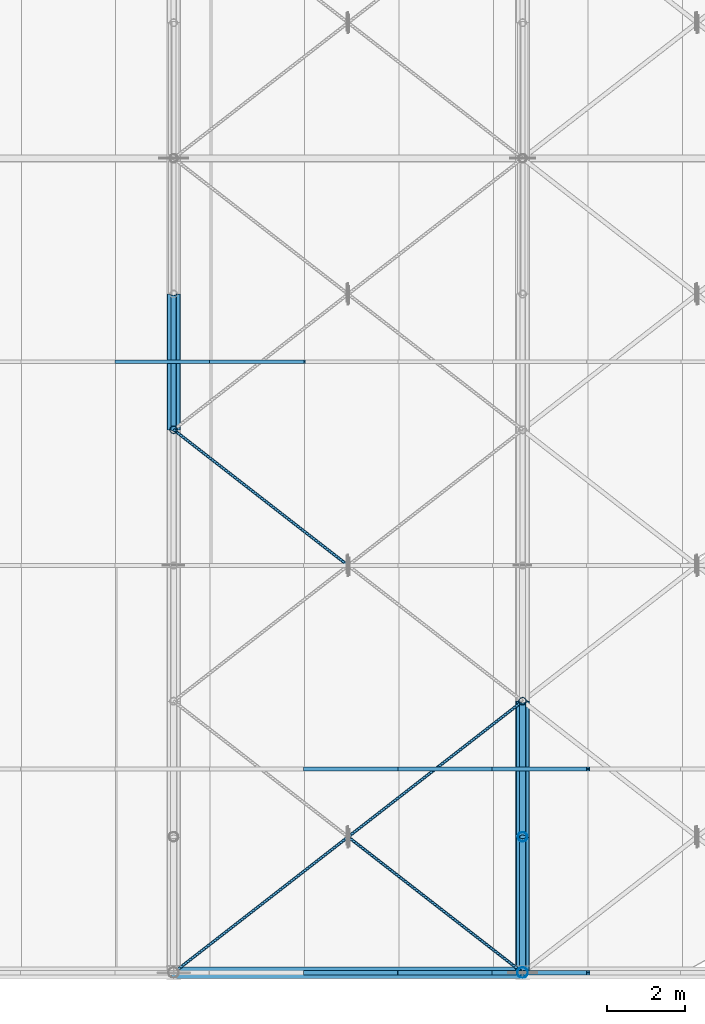
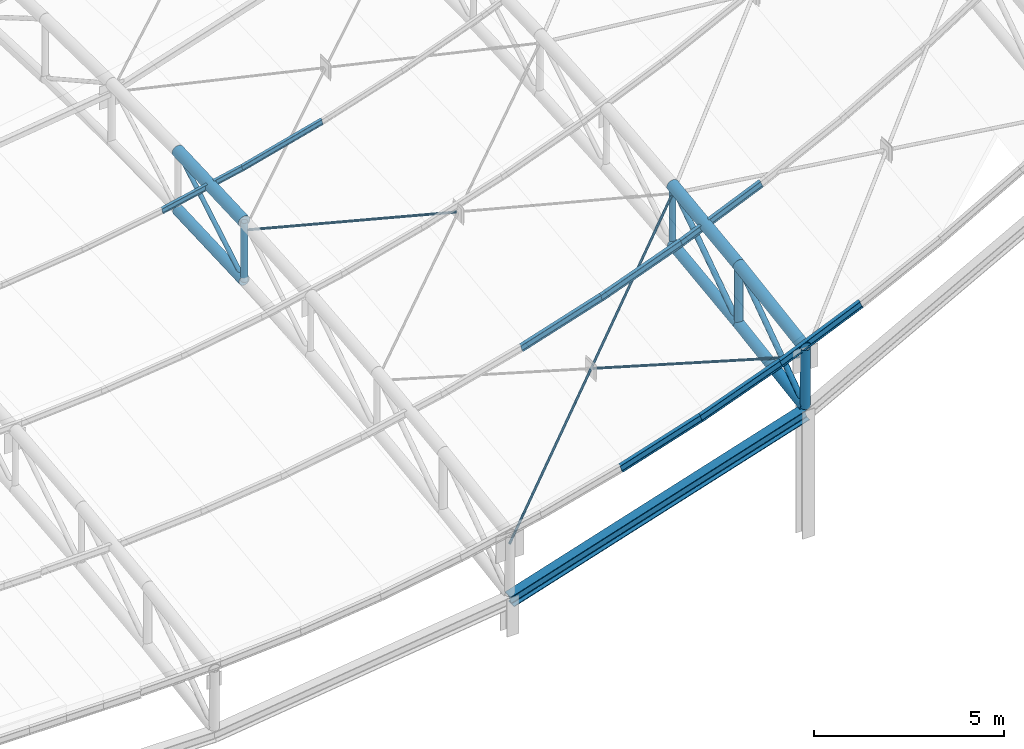
# One storey, part 29 of 262: 24 members, 1 beam.
"""IFC4 building model written with IfcOpenShell, lengths in metres."""

from ifc_helpers import new_model, si_unit, derived_unit, direction, frame, origin, origin_2d, place, context, subcontext, project, spatial, hollow_circle, i_section, extrude, material, material_profile, profile_set, type_object, element, save


model = new_model("IFC4")

# Units and contexts
model_context = context("Model", 3, precision=1e-05, world=origin(), true_north=direction((0.0, 1.0)))
body_context = subcontext(model_context, "Body", "Model", "MODEL_VIEW")
ifc_project = project(units=[si_unit("LENGTHUNIT", "METRE"), si_unit("AREAUNIT", "SQUARE_METRE"), si_unit("VOLUMEUNIT", "CUBIC_METRE"), si_unit("PLANEANGLEUNIT", "RADIAN"), si_unit("MASSUNIT", "GRAM", prefix="KILO"), derived_unit("THERMALTRANSMITTANCEUNIT", [(si_unit("POWERUNIT", "WATT"), 1), (si_unit("LENGTHUNIT", "METRE"), -2), (si_unit("THERMODYNAMICTEMPERATUREUNIT", "KELVIN"), -1)])], contexts=[model_context])

# Site, building, storey
site_placement = place(None, origin())
site = spatial("IfcSite", under=ifc_project, at=site_placement, CompositionType="ELEMENT")
building_placement = place(site_placement, origin())
building = spatial("IfcBuilding", under=site, at=building_placement, Name="Almenara Railside Exhibition Hall", CompositionType="ELEMENT")
storey_placement = place(building_placement, frame((0.0, 0.0, 21.699951171875)))
storey = spatial("IfcBuildingStorey", under=building, at=storey_placement, Name="RF", CompositionType="ELEMENT", Elevation=21.699951171875)

# Members
ifc_material = material(Name="Structural steel S355JR", Category="steel")
ifc_material_profile_1 = material_profile(ifc_material, i_section(OverallWidth=0.110107421875, OverallDepth=0.219970703125, WebThickness=0.005859375, FlangeThickness=0.00927734375, FilletRadius=0.011962890625, at=origin_2d()), Name="IPE 220")
ifc_profile_set_1 = profile_set([ifc_material_profile_1], Name="Structural steel S355JR")
member_type_1 = type_object("IfcMemberType", Name="Heavy Hall Roof Purlin IPE 220 S355JR", PredefinedType="PURLIN", material=ifc_profile_set_1)
member_1_placement = place(storey_placement, frame((51.3798828125, 5.25, -5.21728515625), z_axis=(0.952440767254, 0.0, 0.304723784553), x_axis=(0.0, 1.0, 0.0)))
element("IfcMember", 1, at=member_1_placement, inside=storey, type_object=member_type_1, Name="MEM-PR-V4-PR-IPE220-01-22", PredefinedType="PURLIN", context=body_context, shape_type="SweptSolid", body=[
    extrude(i_section(OverallWidth=0.110107421875, OverallDepth=0.219970703125, WebThickness=0.005859375, FlangeThickness=0.00927734375, FilletRadius=0.011962890625, at=origin_2d()), origin(), (0.0, 0.0, 1.0), 2.55810546875),
])
member_2_placement = place(storey_placement, frame((53.81640625, 5.25, -4.443359375), z_axis=(0.936171044044, 0.0, 0.351544842508), x_axis=(0.0, 1.0, 0.0)))
element("IfcMember", 2, at=member_2_placement, inside=storey, type_object=member_type_1, Name="MEM-PR-V4-PR-IPE220-01-23", PredefinedType="PURLIN", context=body_context, shape_type="SweptSolid", body=[
    extrude(i_section(OverallWidth=0.110107421875, OverallDepth=0.219970703125, WebThickness=0.005859375, FlangeThickness=0.00927734375, FilletRadius=0.011962890625, at=origin_2d()), origin(), (0.0, 0.0, 1.0), 2.60302734375),
])
member_3_placement = place(storey_placement, frame((56.253173828125, 5.25, -3.53515625), z_axis=(0.917189812532, 0.0, 0.398450558775), x_axis=(0.0, 1.0, 0.0)))
element("IfcMember", 3, at=member_3_placement, inside=storey, type_object=member_type_1, Name="MEM-PR-V4-PR-IPE220-01-24", PredefinedType="PURLIN", context=body_context, shape_type="SweptSolid", body=[
    extrude(i_section(OverallWidth=0.110107421875, OverallDepth=0.219970703125, WebThickness=0.005859375, FlangeThickness=0.00927734375, FilletRadius=0.011962890625, at=origin_2d()), origin(), (0.0, 0.0, 1.0), 2.65673828125),
])
ifc_material_profile_2 = material_profile(ifc_material, hollow_circle(Radius=0.0380859375, WallThickness=0.003662109375, at=origin_2d()), Name="CHS 76.1x3.6")
ifc_profile_set_2 = profile_set([ifc_material_profile_2], Name="Structural steel S355JR")
member_type_2 = type_object("IfcMemberType", Name="Lantern Cross-Tie Brace CHS 76.1x3.6 S355JR", PredefinedType="BRACE", material=ifc_profile_set_2)
member_4_placement = place(storey_placement, frame((48.0, 0.0, -7.150634765625), z_axis=(0.747437290309, 0.581340114685, 0.321529420294), x_axis=(-0.613940613515, 0.789352217376, 0.0)))
element("IfcMember", 4, at=member_4_placement, inside=storey, type_object=member_type_2, Name="MEM-WB-V4-WB-CHS76-05-00-C", PredefinedType="BRACE", context=body_context, shape_type="SweptSolid", body=[
    extrude(hollow_circle(Radius=0.0380859375, WallThickness=0.003662109375, at=origin_2d()), origin(), (0.0, 0.0, 1.0), 12.041259765625),
])
member_5_placement = place(storey_placement, frame((52.53271484375, 3.474609375, -5.2080078125), z_axis=(0.778924212359, -0.605839402683, 0.161974348455), x_axis=(0.613946586515, 0.789347571673, 0.0)))
element("IfcMember", 5, at=member_5_placement, inside=storey, type_object=member_type_2, Name="MEM-WB-V4-WB-CHS76-05-00-S2", PredefinedType="BRACE", context=body_context, shape_type="SweptSolid", body=[
    extrude(hollow_circle(Radius=0.0380859375, WallThickness=0.003662109375, at=origin_2d()), origin(), (0.0, 0.0, 1.0), 5.735107421875),
])
member_6_placement = place(storey_placement, frame((48.0, 14.0, -5.550537109375), z_axis=(0.77412945488, -0.602110088636, 0.195415015417), x_axis=(0.613946586515, 0.789347571673, 0.0)))
element("IfcMember", 6, at=member_6_placement, inside=storey, type_object=member_type_2, Name="MEM-WB-V4-WB-CHS76-05-02-S1", PredefinedType="BRACE", context=body_context, shape_type="SweptSolid", body=[
    extrude(hollow_circle(Radius=0.0380859375, WallThickness=0.003662109375, at=origin_2d()), origin(), (0.0, 0.0, 1.0), 5.770751953125),
])
ifc_material_profile_3 = material_profile(ifc_material, i_section(OverallWidth=0.091064453125, OverallDepth=0.179931640625, WebThickness=0.00537109375, FlangeThickness=0.008056640625, FilletRadius=0.009033203125, at=origin_2d()), Name="IPE 180")
ifc_profile_set_3 = profile_set([ifc_material_profile_3], Name="Structural steel S355JR")
member_type_3 = type_object("IfcMemberType", Name="Plenary Roof Purlin IPE 180 S355JR", PredefinedType="PURLIN", material=ifc_profile_set_3)
member_7_placement = place(storey_placement, frame((46.50634765625, 15.75, -5.45947265625), z_axis=(0.977496103583, 0.0, 0.210953472309), x_axis=(0.0, 1.0, 0.0)))
element("IfcMember", 7, at=member_7_placement, inside=storey, type_object=member_type_3, Name="MEM-PR-V4-PR-IPE180-03-20", PredefinedType="PURLIN", context=body_context, shape_type="SweptSolid", body=[
    extrude(i_section(OverallWidth=0.091064453125, OverallDepth=0.179931640625, WebThickness=0.00537109375, FlangeThickness=0.008056640625, FilletRadius=0.009033203125, at=origin_2d()), origin(), (0.0, 0.0, 1.0), 2.492919921875),
])
member_8_placement = place(storey_placement, frame((48.943115234375, 15.75, -4.93701171875), z_axis=(0.966201190487, 0.0, 0.257789176462), x_axis=(0.0, 1.0, 0.0)))
element("IfcMember", 8, at=member_8_placement, inside=storey, type_object=member_type_3, Name="MEM-PR-V4-PR-IPE180-03-21", PredefinedType="PURLIN", context=body_context, shape_type="SweptSolid", body=[
    extrude(i_section(OverallWidth=0.091064453125, OverallDepth=0.179931640625, WebThickness=0.00537109375, FlangeThickness=0.008056640625, FilletRadius=0.009033203125, at=origin_2d()), origin(), (0.0, 0.0, 1.0), 2.52197265625),
])
ifc_material_profile_4 = material_profile(ifc_material, hollow_circle(Radius=0.161865234375, WallThickness=0.010009765625, at=origin_2d()), Name="CHS 323.9x10")
ifc_profile_set_4 = profile_set([ifc_material_profile_4], Name="Structural steel S355JR")
member_type_4 = type_object("IfcMemberType", Name="Plenary Truss Bottom Chord CHS 323.9x10 S355JR", PredefinedType="CHORD", material=ifc_profile_set_4)
member_9_placement = place(storey_placement, frame((48.0, 14.0, -7.170654296875), z_axis=(0.0, 0.999081106193, 0.042859575914), x_axis=(-1.0, 0.0, 0.0)))
element("IfcMember", 9, at=member_9_placement, inside=storey, type_object=member_type_4, Name="MEM-BC-V4-05-04", PredefinedType="CHORD", context=body_context, shape_type="SweptSolid", body=[
    extrude(hollow_circle(Radius=0.161865234375, WallThickness=0.010009765625, at=origin_2d()), origin(), (0.0, 0.0, 1.0), 3.503173828125),
])
member_10_placement = place(storey_placement, frame((57.0, 0.0, -5.899169921875), z_axis=(0.0, 0.987875011802, 0.155251283593), x_axis=(-1.0, 0.0, 0.0)))
element("IfcMember", 10, at=member_10_placement, inside=storey, type_object=member_type_4, Name="MEM-BC-V4-06-00", PredefinedType="CHORD", context=body_context, shape_type="SweptSolid", body=[
    extrude(hollow_circle(Radius=0.161865234375, WallThickness=0.010009765625, at=origin_2d()), origin(), (0.0, 0.0, 1.0), 3.54296875),
])
member_11_placement = place(storey_placement, frame((57.0, 3.5, -5.34912109375), z_axis=(0.0, 0.991837525329, 0.127508130523), x_axis=(-1.0, 0.0, 0.0)))
element("IfcMember", 11, at=member_11_placement, inside=storey, type_object=member_type_4, Name="MEM-BC-V4-06-01", PredefinedType="CHORD", context=body_context, shape_type="SweptSolid", body=[
    extrude(hollow_circle(Radius=0.161865234375, WallThickness=0.010009765625, at=origin_2d()), origin(), (0.0, 0.0, 1.0), 3.52880859375),
])
ifc_material_profile_5 = material_profile(ifc_material, hollow_circle(Radius=0.177734375, WallThickness=0.012451171875, at=origin_2d()), Name="CHS 355.6x12.5")
ifc_profile_set_5 = profile_set([ifc_material_profile_5], Name="Structural steel S355JR")
member_type_5 = type_object("IfcMemberType", Name="Plenary Truss Top Chord CHS 355.6x12.5 S355JR", PredefinedType="CHORD", material=ifc_profile_set_5)
member_12_placement = place(storey_placement, frame((48.0, 14.0, -5.2705078125), z_axis=(0.0, 0.999084087935, 0.042790013253), x_axis=(-1.0, 0.0, 0.0)))
element("IfcMember", 12, at=member_12_placement, inside=storey, type_object=member_type_5, Name="MEM-TC-V4-05-04", PredefinedType="CHORD", context=body_context, shape_type="SweptSolid", body=[
    extrude(hollow_circle(Radius=0.177734375, WallThickness=0.012451171875, at=origin_2d()), origin(), (0.0, 0.0, 1.0), 3.503173828125),
])
member_13_placement = place(storey_placement, frame((57.0, 0.0, -3.9990234375), z_axis=(0.0, 0.987875011802, 0.155251283593), x_axis=(-1.0, 0.0, 0.0)))
element("IfcMember", 13, at=member_13_placement, inside=storey, type_object=member_type_5, Name="MEM-TC-V4-06-00", PredefinedType="CHORD", context=body_context, shape_type="SweptSolid", body=[
    extrude(hollow_circle(Radius=0.177734375, WallThickness=0.012451171875, at=origin_2d()), origin(), (0.0, 0.0, 1.0), 3.54296875),
])
member_14_placement = place(storey_placement, frame((57.0, 3.5, -3.448974609375), z_axis=(0.0, 0.991837525329, 0.127508130523), x_axis=(-1.0, 0.0, 0.0)))
element("IfcMember", 14, at=member_14_placement, inside=storey, type_object=member_type_5, Name="MEM-TC-V4-06-01", PredefinedType="CHORD", context=body_context, shape_type="SweptSolid", body=[
    extrude(hollow_circle(Radius=0.177734375, WallThickness=0.012451171875, at=origin_2d()), origin(), (0.0, 0.0, 1.0), 3.52880859375),
])
ifc_material_profile_6 = material_profile(ifc_material, i_section(OverallWidth=0.1201171875, OverallDepth=0.239990234375, WebThickness=0.006103515625, FlangeThickness=0.009765625, FilletRadius=0.014892578125, at=origin_2d()), Name="IPE 240")
ifc_profile_set_6 = profile_set([ifc_material_profile_6], Name="Structural steel S355JR")
member_type_6 = type_object("IfcMemberType", Name="Scroll Roof Purlin IPE 240 S355JR", PredefinedType="PURLIN", material=ifc_profile_set_6)
member_15_placement = place(storey_placement, frame((51.3798828125, 0.0, -5.90625), z_axis=(0.952440767254, 0.0, 0.304723784553), x_axis=(0.0, 1.0, 0.0)))
element("IfcMember", 15, at=member_15_placement, inside=storey, type_object=member_type_6, Name="MEM-PR-V4-PR-IPE240-00-22", PredefinedType="PURLIN", context=body_context, shape_type="SweptSolid", body=[
    extrude(i_section(OverallWidth=0.1201171875, OverallDepth=0.239990234375, WebThickness=0.006103515625, FlangeThickness=0.009765625, FilletRadius=0.014892578125, at=origin_2d()), origin(), (0.0, 0.0, 1.0), 2.55810546875),
])
member_16_placement = place(storey_placement, frame((53.81640625, 0.0, -5.132568359375), z_axis=(0.936171044044, 0.0, 0.351544842508), x_axis=(0.0, 1.0, 0.0)))
element("IfcMember", 16, at=member_16_placement, inside=storey, type_object=member_type_6, Name="MEM-PR-V4-PR-IPE240-00-23", PredefinedType="PURLIN", context=body_context, shape_type="SweptSolid", body=[
    extrude(i_section(OverallWidth=0.1201171875, OverallDepth=0.239990234375, WebThickness=0.006103515625, FlangeThickness=0.009765625, FilletRadius=0.014892578125, at=origin_2d()), origin(), (0.0, 0.0, 1.0), 2.60302734375),
])
member_17_placement = place(storey_placement, frame((56.253173828125, 0.0, -4.224609375), z_axis=(0.917189812532, 0.0, 0.398450558775), x_axis=(0.0, 1.0, 0.0)))
element("IfcMember", 17, at=member_17_placement, inside=storey, type_object=member_type_6, Name="MEM-PR-V4-PR-IPE240-00-24", PredefinedType="PURLIN", context=body_context, shape_type="SweptSolid", body=[
    extrude(i_section(OverallWidth=0.1201171875, OverallDepth=0.239990234375, WebThickness=0.006103515625, FlangeThickness=0.009765625, FilletRadius=0.014892578125, at=origin_2d()), origin(), (0.0, 0.0, 1.0), 2.65673828125),
])

# Beam
ifc_material_profile_7 = material_profile(ifc_material, i_section(OverallWidth=0.300048828125, OverallDepth=0.360107421875, WebThickness=0.012451171875, FlangeThickness=0.0224609375, FilletRadius=0.027099609375, at=origin_2d()), Name="HEB 360")
ifc_profile_set_7 = profile_set([ifc_material_profile_7], Name="Structural steel S355JR")
beam_type = type_object("IfcBeamType", Name="Steel Portal Girder HEB 360 S355JR", PredefinedType="USERDEFINED", material=ifc_profile_set_7)
beam_placement = place(storey_placement, frame((48.0, 0.0, -8.950439453125), z_axis=(0.952689944457, 0.0, 0.303943859504), x_axis=(0.0, 1.0, 0.0)))
element("IfcBeam", 18, at=beam_placement, inside=storey, type_object=beam_type, Name="Beam 0999", ObjectType="GIRDER", PredefinedType="USERDEFINED", context=body_context, shape_type="SweptSolid", body=[
    extrude(i_section(OverallWidth=0.300048828125, OverallDepth=0.360107421875, WebThickness=0.012451171875, FlangeThickness=0.0224609375, FilletRadius=0.027099609375, at=origin_2d()), origin(), (0.0, 0.0, 1.0), 9.447021484375),
])

# Members
ifc_material_profile_8 = material_profile(ifc_material, hollow_circle(Radius=0.084228515625, WallThickness=0.006103515625, at=origin_2d()), Name="CHS 168.3x6")
ifc_profile_set_8 = profile_set([ifc_material_profile_8], Name="Structural steel S355JR")
member_type_7 = type_object("IfcMemberType", Name="Truss End Diagonal CHS 168.3x6 S355JR", PredefinedType="BRACE", material=ifc_profile_set_8)
member_18_placement = place(storey_placement, frame((57.0, 0.0, -5.899169921875), z_axis=(0.0, 0.819210443161, 0.573493025081), x_axis=(-1.0, 0.0, 0.0)))
element("IfcMember", 19, at=member_18_placement, inside=storey, type_object=member_type_7, Name="MEM-TD-V4-06-00", PredefinedType="BRACE", context=body_context, shape_type="SweptSolid", body=[
    extrude(hollow_circle(Radius=0.084228515625, WallThickness=0.006103515625, at=origin_2d()), origin(), (0.0, 0.0, 1.0), 4.2724609375),
])
member_19_placement = place(storey_placement, frame((57.0, 3.5, -5.34912109375), z_axis=(0.0, 0.830210410422, 0.557450154208), x_axis=(-1.0, 0.0, 0.0)))
element("IfcMember", 20, at=member_19_placement, inside=storey, type_object=member_type_7, Name="MEM-TD-V4-06-01", PredefinedType="BRACE", context=body_context, shape_type="SweptSolid", body=[
    extrude(hollow_circle(Radius=0.084228515625, WallThickness=0.006103515625, at=origin_2d()), origin(), (0.0, 0.0, 1.0), 4.2158203125),
])
ifc_material_profile_9 = material_profile(ifc_material, hollow_circle(Radius=0.122314453125, WallThickness=0.008056640625, at=origin_2d()), Name="CHS 244.5x8")
ifc_profile_set_9 = profile_set([ifc_material_profile_9], Name="Structural steel S355JR")
member_type_8 = type_object("IfcMemberType", Name="Truss Haunch Vertical Strut CHS 244.5x8 S355JR", PredefinedType="BRACE", material=ifc_profile_set_9)
member_20_placement = place(storey_placement, frame((57.0, 3.5, -5.34912109375), z_axis=(0.0, 0.0, 1.0), x_axis=(1.0, 0.0, 0.0)))
element("IfcMember", 21, at=member_20_placement, inside=storey, type_object=member_type_8, Name="MEM-TV-V4-06-01", PredefinedType="BRACE", context=body_context, shape_type="SweptSolid", body=[
    extrude(hollow_circle(Radius=0.122314453125, WallThickness=0.008056640625, at=origin_2d()), origin(), (0.0, 0.0, 1.0), 1.900146484375),
])
ifc_material_profile_10 = material_profile(ifc_material, hollow_circle(Radius=0.06982421875, WallThickness=0.0048828125, at=origin_2d()), Name="CHS 139.7x5")
ifc_profile_set_10 = profile_set([ifc_material_profile_10], Name="Structural steel S355JR")
member_type_9 = type_object("IfcMemberType", Name="Truss Inner Diagonal CHS 139.7x5 S355JR", PredefinedType="BRACE", material=ifc_profile_set_10)
member_21_placement = place(storey_placement, frame((48.0, 14.0, -7.170654296875), z_axis=(0.0, 0.862878111278, 0.505412074526), x_axis=(-1.0, 0.0, 0.0)))
element("IfcMember", 22, at=member_21_placement, inside=storey, type_object=member_type_9, Name="MEM-TD-V4-05-04", PredefinedType="BRACE", context=body_context, shape_type="SweptSolid", body=[
    extrude(hollow_circle(Radius=0.06982421875, WallThickness=0.0048828125, at=origin_2d()), origin(), (0.0, 0.0, 1.0), 4.05615234375),
])
ifc_material_profile_11 = material_profile(ifc_material, hollow_circle(Radius=0.096923828125, WallThickness=0.00634765625, at=origin_2d()), Name="CHS 193.7x6.3")
ifc_profile_set_11 = profile_set([ifc_material_profile_11], Name="Structural steel S355JR")
member_type_10 = type_object("IfcMemberType", Name="Truss Standard Vertical Strut CHS 193.7x6.3 S355JR", PredefinedType="BRACE", material=ifc_profile_set_11)
for number, where, z_axis, x_axis, name in (
    (23, (48.0, 14.0, -7.170654296875), (0.0, 0.0, 1.0), (1.0, 0.0, 0.0), "MEM-TV-V4-05-04"),
    (24, (57.0, 7.0, -4.899169921875), (0.0, 0.0, 1.0), (1.0, 0.0, 0.0), "MEM-TV-V4-06-02"),
):
    element("IfcMember", number, at=place(storey_placement, frame(where, z_axis=z_axis, x_axis=x_axis)), inside=storey, type_object=member_type_10, Name=name, PredefinedType="BRACE", context=body_context, shape_type="SweptSolid", body=[
        extrude(hollow_circle(Radius=0.096923828125, WallThickness=0.00634765625, at=origin_2d()), origin(), (0.0, 0.0, 1.0), 1.900146484375),
    ])
ifc_material_profile_12 = material_profile(ifc_material, hollow_circle(Radius=0.136474609375, WallThickness=0.008056640625, at=origin_2d()), Name="CHS 273x8")
ifc_profile_set_12 = profile_set([ifc_material_profile_12], Name="Structural steel S355JR")
member_type_11 = type_object("IfcMemberType", Name="Truss Support Vertical Strut CHS 273x8 S355JR", PredefinedType="BRACE", material=ifc_profile_set_12)
member_22_placement = place(storey_placement, frame((57.0, 0.0, -5.899169921875), z_axis=(0.0, 0.0, 1.0), x_axis=(1.0, 0.0, 0.0)))
element("IfcMember", 25, at=member_22_placement, inside=storey, type_object=member_type_11, Name="MEM-TV-V4-06-00", PredefinedType="BRACE", context=body_context, shape_type="SweptSolid", body=[
    extrude(hollow_circle(Radius=0.136474609375, WallThickness=0.008056640625, at=origin_2d()), origin(), (0.0, 0.0, 1.0), 1.900146484375),
])

save(model, "model.ifc")
